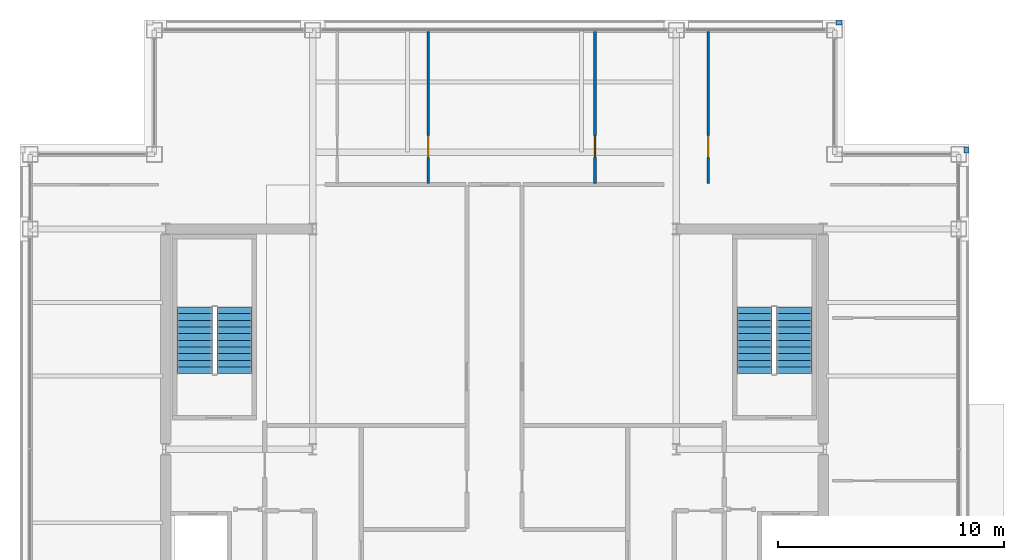
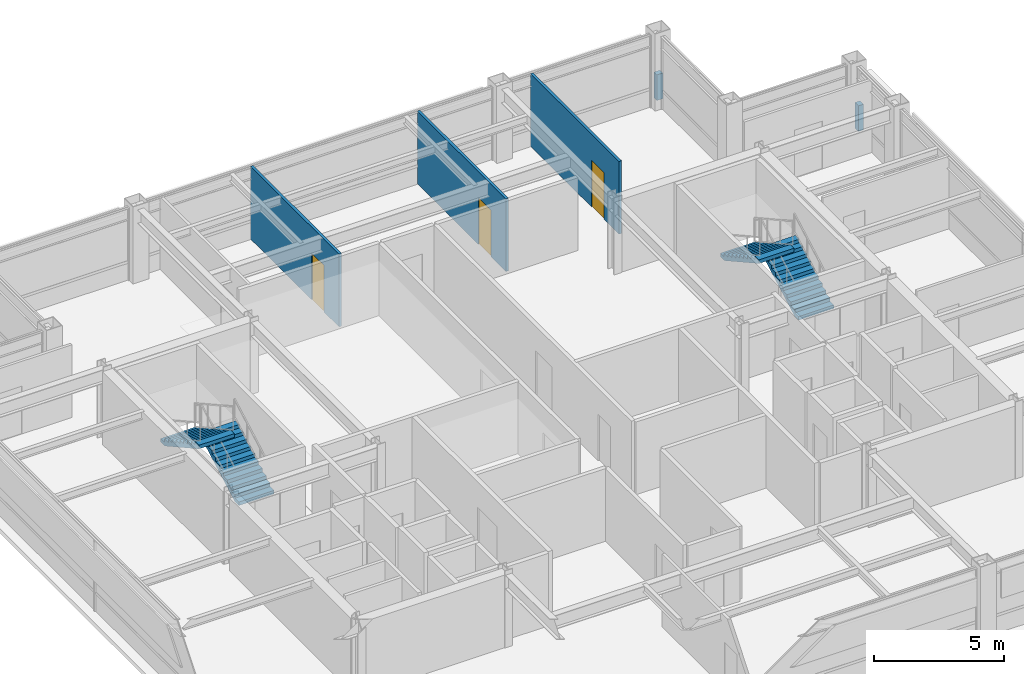
# One storey, part 25 of 26: 5 walls, 4 stair flights, 3 doors, 3 openings, 2 elements without a shape of their own.
"""IFC4 building model written with IfcOpenShell, lengths in metres."""

from ifc_helpers import new_model, si_unit, direction, frame, frame_2d, origin, place, context, subcontext, project, spatial, polyline, rectangle, outline, extrude, material, layer, layer_set, type_object, element, fill, aggregate, save


model = new_model("IFC4")

# Units and contexts
model_context = context("Model", 3, precision=1e-05, world=origin(), true_north=direction((0.0, 1.0)))
body_context = subcontext(model_context, "Body", "Model", "MODEL_VIEW")
ifc_project = project(units=[si_unit("LENGTHUNIT", "METRE"), si_unit("AREAUNIT", "SQUARE_METRE"), si_unit("VOLUMEUNIT", "CUBIC_METRE"), si_unit("PLANEANGLEUNIT", "RADIAN"), si_unit("MASSUNIT", "GRAM", prefix="KILO")], contexts=[model_context])

# Site, building, storey
site_placement = place(None, origin())
site = spatial("IfcSite", under=ifc_project, at=site_placement, CompositionType="ELEMENT")
building_placement = place(site_placement, origin())
building = spatial("IfcBuilding", under=site, at=building_placement, Name="Brelmoor Portico Tower", CompositionType="ELEMENT")
storey_placement = place(building_placement, frame((0.0, 0.0, 205.5)))
storey = spatial("IfcBuildingStorey", under=building, at=storey_placement, Name="L54", CompositionType="ELEMENT", Elevation=205.5)

# Walls
ifc_material_1 = material(Name="Concrete C40 Parapet Upstand", Category="concrete")
ifc_layer_1 = layer(ifc_material_1, 0.219970703125)
ifc_layer_set_1 = layer_set([ifc_layer_1], Name="Concrete C40 Parapet Upstand")
wall_type_1 = type_object("IfcWallType", Name="WL-PARAPET-220", PredefinedType="PARAPET", material=ifc_layer_set_1)
for number, where, z_axis, x_axis, name in (
    (1, (15.1201171875, 18.889892578125, 0.0), (0.0, 0.0, 1.0), (1.0, 0.0, 0.0), "L54 Chamfer Vertex Parapet Pier NE1"),
    (2, (20.889892578125, 13.1201171875, 0.0), (0.0, 0.0, 1.0), (0.0, 1.0, 0.0), "L54 Chamfer Vertex Parapet Pier NE2"),
):
    element("IfcWall", number, at=place(storey_placement, frame(where, z_axis=z_axis, x_axis=x_axis)), inside=storey, type_object=wall_type_1, Name=name, PredefinedType="PARAPET", context=body_context, shape_type="SweptSolid", body=[
        extrude(rectangle(XDim=0.269775390625, YDim=0.219970703125, at=frame_2d((0.134765625, 0.0))), origin(), (0.0, 0.0, 1.0), 1.199951171875),
    ])

# Wall, opening, door
ifc_material_2 = material(Name="Lightweight Gypsum Office Partition", Category="gypsum")
ifc_layer_2 = layer(ifc_material_2, 0.1201171875)
ifc_layer_set_2 = layer_set([ifc_layer_2], Name="Lightweight Gypsum Office Partition")
wall_type_2 = type_object("IfcWallType", Name="WL-PART-120", PredefinedType="PARTITIONING", material=ifc_layer_set_2)
wall_1_placement = place(storey_placement, frame((-2.9345703125, 11.77001953125, 0.0), z_axis=(0.0, 0.0, 1.0), x_axis=(0.0, 1.0, 0.0)))
wall_1 = element("IfcWall", 3, at=wall_1_placement, inside=storey, type_object=wall_type_2, Name="L54 North Suite Partition 2", PredefinedType="PARTITIONING", context=body_context, shape_type="SweptSolid", body=[
    extrude(rectangle(XDim=6.7900390625, YDim=0.1201171875, at=frame_2d((3.39501953125, 0.0))), origin(), (0.0, 0.0, 1.0), 3.39990234375),
])
opening_1_placement = place(wall_1_placement, frame((1.14990234375, 0.0, 0.0)))
opening_1 = element("IfcOpeningElement", 4, at=opening_1_placement, cuts=wall_1, Name="Opening D-IN2", PredefinedType="OPENING", context=body_context, shape_type="SweptSolid", body=[
    extrude(rectangle(XDim=0.9599609375, YDim=2.179931640625, at=frame_2d((0.47998046875, 1.08984375))), frame((0.0, 0.070068359375, 0.0), z_axis=(0.0, -1.0, 0.0), x_axis=(1.0, 0.0, 0.0)), (0.0, 0.0, 1.0), 0.14013671875),
])
ifc_material_3 = material(Name="Lacquered Timber Suite Door", Category="wood")
door_type = type_object("IfcDoorType", Name="DR-INT-950", OperationType="NOTDEFINED", PredefinedType="DOOR", material=ifc_material_3)
door_1_placement = place(opening_1_placement, origin())
door_1 = element("IfcDoor", 5, at=door_1_placement, inside=storey, type_object=door_type, Name="D-2281 L54 North Suite Connecting Door 2", OperationType="SINGLE_SWING_RIGHT", OverallHeight=2.179931640625, OverallWidth=0.9599609375, PredefinedType="DOOR", context=body_context, shape_type="SweptSolid", body=[
    extrude(rectangle(XDim=0.9599609375, YDim=2.179931640625, at=frame_2d((0.47998046875, 1.08984375))), frame((0.0, 0.02490234375, 0.0), z_axis=(0.0, -1.0, 0.0), x_axis=(1.0, 0.0, 0.0)), (0.0, 0.0, 1.0), 0.050048828125),
])
fill(opening_1, door_1)

wall_2_placement = place(storey_placement, frame((4.451171875, 11.77001953125, 0.0), z_axis=(0.0, 0.0, 1.0), x_axis=(0.0, 1.0, 0.0)))
wall_2 = element("IfcWall", 6, at=wall_2_placement, inside=storey, type_object=wall_type_2, Name="L54 North Suite Partition 3", PredefinedType="PARTITIONING", context=body_context, shape_type="SweptSolid", body=[
    extrude(rectangle(XDim=6.7900390625, YDim=0.1201171875, at=frame_2d((3.39501953125, 0.0))), origin(), (0.0, 0.0, 1.0), 3.39990234375),
])
opening_2_placement = place(wall_2_placement, frame((1.14990234375, 0.0, 0.0)))
opening_2 = element("IfcOpeningElement", 7, at=opening_2_placement, cuts=wall_2, Name="Opening D-IN2", PredefinedType="OPENING", context=body_context, shape_type="SweptSolid", body=[
    extrude(rectangle(XDim=0.9599609375, YDim=2.179931640625, at=frame_2d((0.47998046875, 1.08984375))), frame((0.0, 0.070068359375, 0.0), z_axis=(0.0, -1.0, 0.0), x_axis=(1.0, 0.0, 0.0)), (0.0, 0.0, 1.0), 0.14013671875),
])
door_2_placement = place(opening_2_placement, origin())
door_2 = element("IfcDoor", 8, at=door_2_placement, inside=storey, type_object=door_type, Name="D-2282 L54 North Suite Connecting Door 3", OperationType="SINGLE_SWING_LEFT", OverallHeight=2.179931640625, OverallWidth=0.9599609375, PredefinedType="DOOR", context=body_context, shape_type="SweptSolid", body=[
    extrude(rectangle(XDim=0.9599609375, YDim=2.179931640625, at=frame_2d((0.47998046875, 1.08984375))), frame((0.0, 0.02490234375, 0.0), z_axis=(0.0, -1.0, 0.0), x_axis=(1.0, 0.0, 0.0)), (0.0, 0.0, 1.0), 0.050048828125),
])
fill(opening_2, door_2)

wall_3_placement = place(storey_placement, frame((9.458740234375, 11.77001953125, 0.0), z_axis=(0.0, 0.0, 1.0), x_axis=(0.0, 1.0, 0.0)))
wall_3 = element("IfcWall", 9, at=wall_3_placement, inside=storey, type_object=wall_type_2, Name="L54 North Suite Partition 4", PredefinedType="PARTITIONING", context=body_context, shape_type="SweptSolid", body=[
    extrude(rectangle(XDim=6.7900390625, YDim=0.1201171875, at=frame_2d((3.39501953125, 0.0))), origin(), (0.0, 0.0, 1.0), 3.39990234375),
])
opening_3_placement = place(wall_3_placement, frame((1.14990234375, 0.0, 0.0)))
opening_3 = element("IfcOpeningElement", 10, at=opening_3_placement, cuts=wall_3, Name="Opening D-IN2", PredefinedType="OPENING", context=body_context, shape_type="SweptSolid", body=[
    extrude(rectangle(XDim=0.9599609375, YDim=2.179931640625, at=frame_2d((0.47998046875, 1.08984375))), frame((0.0, 0.070068359375, 0.0), z_axis=(0.0, -1.0, 0.0), x_axis=(1.0, 0.0, 0.0)), (0.0, 0.0, 1.0), 0.14013671875),
])
door_3_placement = place(opening_3_placement, origin())
door_3 = element("IfcDoor", 11, at=door_3_placement, inside=storey, type_object=door_type, Name="D-2283 L54 North Suite Connecting Door 4", OperationType="SINGLE_SWING_RIGHT", OverallHeight=2.179931640625, OverallWidth=0.9599609375, PredefinedType="DOOR", context=body_context, shape_type="SweptSolid", body=[
    extrude(rectangle(XDim=0.9599609375, YDim=2.179931640625, at=frame_2d((0.47998046875, 1.08984375))), frame((0.0, 0.02490234375, 0.0), z_axis=(0.0, -1.0, 0.0), x_axis=(1.0, 0.0, 0.0)), (0.0, 0.0, 1.0), 0.050048828125),
])
fill(opening_3, door_3)

# Stair, stair flights
ifc_material_4 = material(Name="Concrete C40", Category="concrete")
stair_type_1 = type_object("IfcStairType", Name="ST-CORE-W", PredefinedType="HALF_TURN_STAIR", material=ifc_material_4)
stair_1_placement = place(storey_placement, origin())
stair_1 = element("IfcStair", 12, at=stair_1_placement, inside=storey, type_object=stair_type_1, Name="L54 Protected Core Exit Stair ST-W", PredefinedType="HALF_TURN_STAIR")
stair_flight_type = type_object("IfcStairFlightType", Name="SF-CORE-1850", PredefinedType="STRAIGHT", material=ifc_material_4)
stair_flight_1_placement = place(storey_placement, frame((-11.510009765625, 3.35009765625, 0.0), z_axis=(0.0, 0.0, 1.0), x_axis=(0.0, 1.0, 0.0)))
stair_flight_1 = element("IfcStairFlight", 13, at=stair_flight_1_placement, type_object=stair_flight_type, Name="ST-W flight 1", NumberOfRisers=11, NumberOfTreads=10, PredefinedType="STRAIGHT", RiserHeight=0.163636364, TreadLength=0.295, context=body_context, shape_type="SweptSolid", body=[
    extrude(outline(polyline([(0.0, 0.0), (0.0, 0.16357421875), (0.294921875, 0.16357421875), (0.294921875, 0.327392578125), (0.590087890625, 0.327392578125), (0.590087890625, 0.490966796875), (0.885009765625, 0.490966796875), (0.885009765625, 0.654541015625), (1.179931640625, 0.654541015625), (1.179931640625, 0.818115234375), (1.47509765625, 0.818115234375), (1.47509765625, 0.98193359375), (1.77001953125, 0.98193359375), (1.77001953125, 1.1455078125), (2.06494140625, 1.1455078125), (2.06494140625, 1.30908203125), (2.360107421875, 1.30908203125), (2.360107421875, 1.47265625), (2.655029296875, 1.47265625), (2.655029296875, 1.636474609375), (2.949951171875, 1.636474609375), (2.949951171875, 1.800048828125), (2.949951171875, 1.46484375), (0.30908203125, 0.0), (0.0, 0.0)])), frame((0.0, 0.780029296875, 0.0), z_axis=(0.0, -1.0, 0.0), x_axis=(1.0, 0.0, 0.0)), (0.0, 0.0, 1.0), 1.56005859375),
])
stair_flight_2_placement = place(storey_placement, frame((-13.27001953125, 6.300048828125, 1.800048828125), z_axis=(0.0, 0.0, 1.0), x_axis=(0.0, -1.0, 0.0)))
stair_flight_2 = element("IfcStairFlight", 14, at=stair_flight_2_placement, type_object=stair_flight_type, Name="ST-W flight 2", NumberOfRisers=11, NumberOfTreads=10, PredefinedType="STRAIGHT", RiserHeight=0.163636364, TreadLength=0.295, context=body_context, shape_type="SweptSolid", body=[
    extrude(outline(polyline([(0.0, 0.0), (0.0, 0.16357421875), (0.294921875, 0.16357421875), (0.294921875, 0.327392578125), (0.590087890625, 0.327392578125), (0.590087890625, 0.490966796875), (0.885009765625, 0.490966796875), (0.885009765625, 0.654541015625), (1.179931640625, 0.654541015625), (1.179931640625, 0.818115234375), (1.47509765625, 0.818115234375), (1.47509765625, 0.98193359375), (1.77001953125, 0.98193359375), (1.77001953125, 1.1455078125), (2.06494140625, 1.1455078125), (2.06494140625, 1.30908203125), (2.360107421875, 1.30908203125), (2.360107421875, 1.47265625), (2.655029296875, 1.47265625), (2.655029296875, 1.636474609375), (2.949951171875, 1.636474609375), (2.949951171875, 1.800048828125), (2.949951171875, 1.46484375), (0.30908203125, 0.0), (0.0, 0.0)])), frame((0.0, 0.780029296875, 0.0), z_axis=(0.0, -1.0, 0.0), x_axis=(1.0, 0.0, 0.0)), (0.0, 0.0, 1.0), 1.56005859375),
])
aggregate(stair_1, [stair_flight_1, stair_flight_2])

stair_type_2 = type_object("IfcStairType", Name="ST-CORE-E", PredefinedType="HALF_TURN_STAIR", material=ifc_material_4)
stair_2_placement = place(storey_placement, origin())
stair_2 = element("IfcStair", 15, at=stair_2_placement, inside=storey, type_object=stair_type_2, Name="L54 Protected Core Exit Stair ST-E", PredefinedType="HALF_TURN_STAIR")
stair_flight_3_placement = place(storey_placement, frame((13.27001953125, 3.35009765625, 0.0), z_axis=(0.0, 0.0, 1.0), x_axis=(0.0, 1.0, 0.0)))
stair_flight_3 = element("IfcStairFlight", 16, at=stair_flight_3_placement, type_object=stair_flight_type, Name="ST-E flight 1", NumberOfRisers=11, NumberOfTreads=10, PredefinedType="STRAIGHT", RiserHeight=0.163636364, TreadLength=0.295, context=body_context, shape_type="SweptSolid", body=[
    extrude(outline(polyline([(0.0, 0.0), (0.0, 0.16357421875), (0.294921875, 0.16357421875), (0.294921875, 0.327392578125), (0.590087890625, 0.327392578125), (0.590087890625, 0.490966796875), (0.885009765625, 0.490966796875), (0.885009765625, 0.654541015625), (1.179931640625, 0.654541015625), (1.179931640625, 0.818115234375), (1.47509765625, 0.818115234375), (1.47509765625, 0.98193359375), (1.77001953125, 0.98193359375), (1.77001953125, 1.1455078125), (2.06494140625, 1.1455078125), (2.06494140625, 1.30908203125), (2.360107421875, 1.30908203125), (2.360107421875, 1.47265625), (2.655029296875, 1.47265625), (2.655029296875, 1.636474609375), (2.949951171875, 1.636474609375), (2.949951171875, 1.800048828125), (2.949951171875, 1.46484375), (0.30908203125, 0.0), (0.0, 0.0)])), frame((0.0, 0.780029296875, 0.0), z_axis=(0.0, -1.0, 0.0), x_axis=(1.0, 0.0, 0.0)), (0.0, 0.0, 1.0), 1.56005859375),
])
stair_flight_4_placement = place(storey_placement, frame((11.510009765625, 6.300048828125, 1.800048828125), z_axis=(0.0, 0.0, 1.0), x_axis=(0.0, -1.0, 0.0)))
stair_flight_4 = element("IfcStairFlight", 17, at=stair_flight_4_placement, type_object=stair_flight_type, Name="ST-E flight 2", NumberOfRisers=11, NumberOfTreads=10, PredefinedType="STRAIGHT", RiserHeight=0.163636364, TreadLength=0.295, context=body_context, shape_type="SweptSolid", body=[
    extrude(outline(polyline([(0.0, 0.0), (0.0, 0.16357421875), (0.294921875, 0.16357421875), (0.294921875, 0.327392578125), (0.590087890625, 0.327392578125), (0.590087890625, 0.490966796875), (0.885009765625, 0.490966796875), (0.885009765625, 0.654541015625), (1.179931640625, 0.654541015625), (1.179931640625, 0.818115234375), (1.47509765625, 0.818115234375), (1.47509765625, 0.98193359375), (1.77001953125, 0.98193359375), (1.77001953125, 1.1455078125), (2.06494140625, 1.1455078125), (2.06494140625, 1.30908203125), (2.360107421875, 1.30908203125), (2.360107421875, 1.47265625), (2.655029296875, 1.47265625), (2.655029296875, 1.636474609375), (2.949951171875, 1.636474609375), (2.949951171875, 1.800048828125), (2.949951171875, 1.46484375), (0.30908203125, 0.0), (0.0, 0.0)])), frame((0.0, 0.780029296875, 0.0), z_axis=(0.0, -1.0, 0.0), x_axis=(1.0, 0.0, 0.0)), (0.0, 0.0, 1.0), 1.56005859375),
])
aggregate(stair_2, [stair_flight_3, stair_flight_4])

save(model, "model.ifc")
